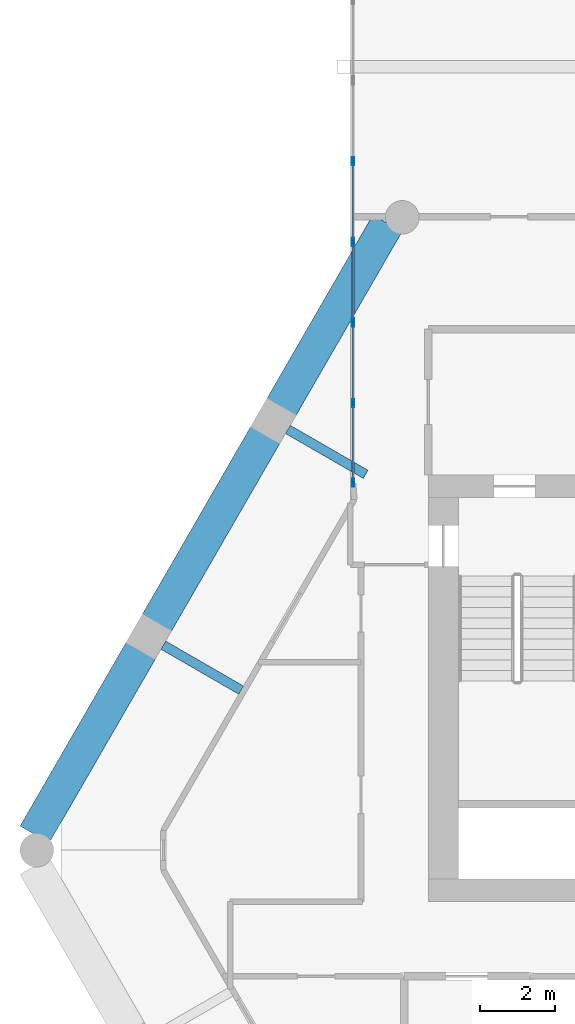
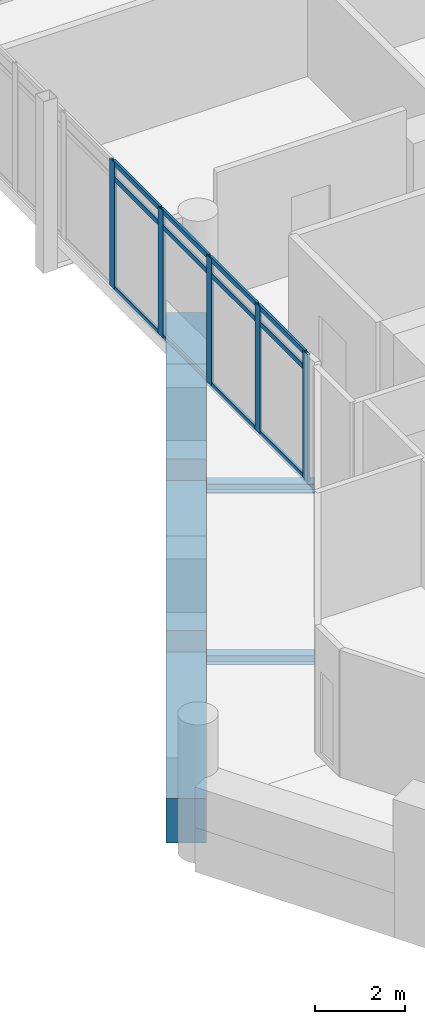
# One storey, part 11 of 25: 17 members, 5 beams, 1 element without a shape of its own.
"""IFC4 building model written with IfcOpenShell, lengths in metres."""

from ifc_helpers import new_model, si_unit, direction, frame, origin, origin_2d, place, context, subcontext, project, spatial, rectangle, hollow_rectangle, i_section, extrude, material, material_profile, profile_set, type_object, element, aggregate, save


model = new_model("IFC4")

# Units and contexts
model_context = context("Model", 3, precision=1e-05, world=origin(), true_north=direction((0.0, 1.0)))
body_context = subcontext(model_context, "Body", "Model", "MODEL_VIEW")
ifc_project = project(units=[si_unit("LENGTHUNIT", "METRE"), si_unit("AREAUNIT", "SQUARE_METRE"), si_unit("VOLUMEUNIT", "CUBIC_METRE"), si_unit("PLANEANGLEUNIT", "RADIAN"), si_unit("MASSUNIT", "GRAM", prefix="KILO")], contexts=[model_context])

# Site, building, storey
site_placement = place(None, origin())
site = spatial("IfcSite", under=ifc_project, at=site_placement, CompositionType="ELEMENT")
building_placement = place(site_placement, origin())
building = spatial("IfcBuilding", under=site, at=building_placement, Name="Ostrander Bayou Hotel Tower", CompositionType="ELEMENT")
storey_placement = place(building_placement, frame((0.0, 0.0, 233.25)))
storey = spatial("IfcBuildingStorey", under=building, at=storey_placement, Name="L58", CompositionType="ELEMENT", Elevation=233.25)

# Curtain wall, members
ifc_material_1 = material(Name="Aluminium and clear glass", Category="aluminium")
curtain_wall_type = type_object("IfcCurtainWallType", Name="CW-BAR glazed wall", PredefinedType="NOTDEFINED", material=ifc_material_1)
curtain_wall_placement = place(storey_placement, origin())
curtain_wall = element("IfcCurtainWall", 1, at=curtain_wall_placement, inside=storey, type_object=curtain_wall_type, Name="CW-BAR L58:SB5N:E", PredefinedType="NOTDEFINED")
ifc_material_2 = material(Name="Aluminium", Category="aluminium")
ifc_material_profile_1 = material_profile(ifc_material_2, hollow_rectangle(XDim=0.06005859375, YDim=0.219970703125, WallThickness=0.00390625, at=origin_2d()))
ifc_profile_set_1 = profile_set([ifc_material_profile_1], Name="Aluminium")
member_type_1 = type_object("IfcMemberType", Name="CW-BR mullion 60 x 220 mm", PredefinedType="MULLION", material=ifc_profile_set_1)
member_1_placement = place(storey_placement, frame((-10.51220703125, 9.4951171875, 0.0), z_axis=(0.0, 0.0, 1.0), x_axis=(-1.0, 0.0, 0.0)))
member_1 = element("IfcMember", 2, at=member_1_placement, type_object=member_type_1, Name="CW-BAR mullion 1", PredefinedType="MULLION", context=body_context, shape_type="SweptSolid", body=[
    extrude(hollow_rectangle(XDim=0.06005859375, YDim=0.219970703125, WallThickness=0.00390625, at=origin_2d()), origin(), (0.0, 0.0, 1.0), 3.449951171875),
])
member_2_placement = place(storey_placement, frame((-10.51220703125, 11.620849609375, 0.0), z_axis=(0.0, 0.0, 1.0), x_axis=(-1.0, 0.0, 0.0)))
member_2 = element("IfcMember", 3, at=member_2_placement, type_object=member_type_1, Name="CW-BAR mullion 2", PredefinedType="MULLION", context=body_context, shape_type="SweptSolid", body=[
    extrude(hollow_rectangle(XDim=0.06005859375, YDim=0.219970703125, WallThickness=0.00390625, at=origin_2d()), origin(), (0.0, 0.0, 1.0), 3.449951171875),
])
member_3_placement = place(storey_placement, frame((-10.51220703125, 13.7763671875, 0.0), z_axis=(0.0, 0.0, 1.0), x_axis=(-1.0, 0.0, 0.0)))
member_3 = element("IfcMember", 4, at=member_3_placement, type_object=member_type_1, Name="CW-BAR mullion 3", PredefinedType="MULLION", context=body_context, shape_type="SweptSolid", body=[
    extrude(hollow_rectangle(XDim=0.06005859375, YDim=0.219970703125, WallThickness=0.00390625, at=origin_2d()), origin(), (0.0, 0.0, 1.0), 3.449951171875),
])
member_4_placement = place(storey_placement, frame((-10.51220703125, 15.93212890625, 0.0), z_axis=(0.0, 0.0, 1.0), x_axis=(-1.0, 0.0, 0.0)))
member_4 = element("IfcMember", 5, at=member_4_placement, type_object=member_type_1, Name="CW-BAR mullion 4", PredefinedType="MULLION", context=body_context, shape_type="SweptSolid", body=[
    extrude(hollow_rectangle(XDim=0.06005859375, YDim=0.219970703125, WallThickness=0.00390625, at=origin_2d()), origin(), (0.0, 0.0, 1.0), 3.449951171875),
])
member_5_placement = place(storey_placement, frame((-10.51220703125, 18.087890625, 0.0), z_axis=(0.0, 0.0, 1.0), x_axis=(-1.0, 0.0, 0.0)))
member_5 = element("IfcMember", 6, at=member_5_placement, type_object=member_type_1, Name="CW-BAR mullion 5", PredefinedType="MULLION", context=body_context, shape_type="SweptSolid", body=[
    extrude(hollow_rectangle(XDim=0.06005859375, YDim=0.219970703125, WallThickness=0.00390625, at=origin_2d()), origin(), (0.0, 0.0, 1.0), 3.449951171875),
])
ifc_material_3 = material(Name="Aluminium", Category="aluminium")
ifc_material_profile_2 = material_profile(ifc_material_3, hollow_rectangle(XDim=0.06005859375, YDim=0.1298828125, WallThickness=0.00390625, at=origin_2d()))
ifc_profile_set_2 = profile_set([ifc_material_profile_2], Name="Aluminium")
member_type_2 = type_object("IfcMemberType", Name="CW-BR transom 60 x 130 mm", PredefinedType="USERDEFINED", material=ifc_profile_set_2)
member_6_placement = place(storey_placement, frame((-10.51220703125, 9.52490234375, 0.030029296875), z_axis=(0.0, 1.0, 0.0), x_axis=(-1.0, 0.0, 0.0)))
member_6 = element("IfcMember", 7, at=member_6_placement, type_object=member_type_2, Name="CW-BAR transom 1.1", ObjectType="TRANSOM", PredefinedType="USERDEFINED", context=body_context, shape_type="SweptSolid", body=[
    extrude(hollow_rectangle(XDim=0.06005859375, YDim=0.1298828125, WallThickness=0.00390625, at=origin_2d()), origin(), (0.0, 0.0, 1.0), 2.06591796875),
])
member_7_placement = place(storey_placement, frame((-10.51220703125, 9.52490234375, 3.0), z_axis=(0.0, 1.0, 0.0), x_axis=(-1.0, 0.0, 0.0)))
member_7 = element("IfcMember", 8, at=member_7_placement, type_object=member_type_2, Name="CW-BAR transom 1.2", ObjectType="TRANSOM", PredefinedType="USERDEFINED", context=body_context, shape_type="SweptSolid", body=[
    extrude(hollow_rectangle(XDim=0.06005859375, YDim=0.1298828125, WallThickness=0.00390625, at=origin_2d()), origin(), (0.0, 0.0, 1.0), 2.06591796875),
])
member_8_placement = place(storey_placement, frame((-10.51220703125, 9.52490234375, 3.419921875), z_axis=(0.0, 1.0, 0.0), x_axis=(-1.0, 0.0, 0.0)))
member_8 = element("IfcMember", 9, at=member_8_placement, type_object=member_type_2, Name="CW-BAR transom 1.3", ObjectType="TRANSOM", PredefinedType="USERDEFINED", context=body_context, shape_type="SweptSolid", body=[
    extrude(hollow_rectangle(XDim=0.06005859375, YDim=0.1298828125, WallThickness=0.00390625, at=origin_2d()), origin(), (0.0, 0.0, 1.0), 2.06591796875),
])
member_9_placement = place(storey_placement, frame((-10.51220703125, 11.650634765625, 0.030029296875), z_axis=(0.0, 1.0, 0.0), x_axis=(-1.0, 0.0, 0.0)))
member_9 = element("IfcMember", 10, at=member_9_placement, type_object=member_type_2, Name="CW-BAR transom 2.1", ObjectType="TRANSOM", PredefinedType="USERDEFINED", context=body_context, shape_type="SweptSolid", body=[
    extrude(hollow_rectangle(XDim=0.06005859375, YDim=0.1298828125, WallThickness=0.00390625, at=origin_2d()), origin(), (0.0, 0.0, 1.0), 2.095947265625),
])
member_10_placement = place(storey_placement, frame((-10.51220703125, 11.650634765625, 3.0), z_axis=(0.0, 1.0, 0.0), x_axis=(-1.0, 0.0, 0.0)))
member_10 = element("IfcMember", 11, at=member_10_placement, type_object=member_type_2, Name="CW-BAR transom 2.2", ObjectType="TRANSOM", PredefinedType="USERDEFINED", context=body_context, shape_type="SweptSolid", body=[
    extrude(hollow_rectangle(XDim=0.06005859375, YDim=0.1298828125, WallThickness=0.00390625, at=origin_2d()), origin(), (0.0, 0.0, 1.0), 2.095947265625),
])
member_11_placement = place(storey_placement, frame((-10.51220703125, 11.650634765625, 3.419921875), z_axis=(0.0, 1.0, 0.0), x_axis=(-1.0, 0.0, 0.0)))
member_11 = element("IfcMember", 12, at=member_11_placement, type_object=member_type_2, Name="CW-BAR transom 2.3", ObjectType="TRANSOM", PredefinedType="USERDEFINED", context=body_context, shape_type="SweptSolid", body=[
    extrude(hollow_rectangle(XDim=0.06005859375, YDim=0.1298828125, WallThickness=0.00390625, at=origin_2d()), origin(), (0.0, 0.0, 1.0), 2.095947265625),
])
member_12_placement = place(storey_placement, frame((-10.51220703125, 13.806396484375, 0.030029296875), z_axis=(0.0, 1.0, 0.0), x_axis=(-1.0, 0.0, 0.0)))
member_12 = element("IfcMember", 13, at=member_12_placement, type_object=member_type_2, Name="CW-BAR transom 3.1", ObjectType="TRANSOM", PredefinedType="USERDEFINED", context=body_context, shape_type="SweptSolid", body=[
    extrude(hollow_rectangle(XDim=0.06005859375, YDim=0.1298828125, WallThickness=0.00390625, at=origin_2d()), origin(), (0.0, 0.0, 1.0), 2.095703125),
])
member_13_placement = place(storey_placement, frame((-10.51220703125, 13.806396484375, 3.0), z_axis=(0.0, 1.0, 0.0), x_axis=(-1.0, 0.0, 0.0)))
member_13 = element("IfcMember", 14, at=member_13_placement, type_object=member_type_2, Name="CW-BAR transom 3.2", ObjectType="TRANSOM", PredefinedType="USERDEFINED", context=body_context, shape_type="SweptSolid", body=[
    extrude(hollow_rectangle(XDim=0.06005859375, YDim=0.1298828125, WallThickness=0.00390625, at=origin_2d()), origin(), (0.0, 0.0, 1.0), 2.095703125),
])
member_14_placement = place(storey_placement, frame((-10.51220703125, 13.806396484375, 3.419921875), z_axis=(0.0, 1.0, 0.0), x_axis=(-1.0, 0.0, 0.0)))
member_14 = element("IfcMember", 15, at=member_14_placement, type_object=member_type_2, Name="CW-BAR transom 3.3", ObjectType="TRANSOM", PredefinedType="USERDEFINED", context=body_context, shape_type="SweptSolid", body=[
    extrude(hollow_rectangle(XDim=0.06005859375, YDim=0.1298828125, WallThickness=0.00390625, at=origin_2d()), origin(), (0.0, 0.0, 1.0), 2.095703125),
])
member_15_placement = place(storey_placement, frame((-10.51220703125, 15.962158203125, 0.030029296875), z_axis=(0.0, 1.0, 0.0), x_axis=(-1.0, 0.0, 0.0)))
member_15 = element("IfcMember", 16, at=member_15_placement, type_object=member_type_2, Name="CW-BAR transom 4.1", ObjectType="TRANSOM", PredefinedType="USERDEFINED", context=body_context, shape_type="SweptSolid", body=[
    extrude(hollow_rectangle(XDim=0.06005859375, YDim=0.1298828125, WallThickness=0.00390625, at=origin_2d()), origin(), (0.0, 0.0, 1.0), 2.095703125),
])
member_16_placement = place(storey_placement, frame((-10.51220703125, 15.962158203125, 3.0), z_axis=(0.0, 1.0, 0.0), x_axis=(-1.0, 0.0, 0.0)))
member_16 = element("IfcMember", 17, at=member_16_placement, type_object=member_type_2, Name="CW-BAR transom 4.2", ObjectType="TRANSOM", PredefinedType="USERDEFINED", context=body_context, shape_type="SweptSolid", body=[
    extrude(hollow_rectangle(XDim=0.06005859375, YDim=0.1298828125, WallThickness=0.00390625, at=origin_2d()), origin(), (0.0, 0.0, 1.0), 2.095703125),
])
member_17_placement = place(storey_placement, frame((-10.51220703125, 15.962158203125, 3.419921875), z_axis=(0.0, 1.0, 0.0), x_axis=(-1.0, 0.0, 0.0)))
member_17 = element("IfcMember", 18, at=member_17_placement, type_object=member_type_2, Name="CW-BAR transom 4.3", ObjectType="TRANSOM", PredefinedType="USERDEFINED", context=body_context, shape_type="SweptSolid", body=[
    extrude(hollow_rectangle(XDim=0.06005859375, YDim=0.1298828125, WallThickness=0.00390625, at=origin_2d()), origin(), (0.0, 0.0, 1.0), 2.095703125),
])
aggregate(curtain_wall, [member_1, member_2, member_3, member_4, member_5, member_6, member_7, member_8, member_9, member_10, member_11, member_12, member_13, member_14, member_15, member_16, member_17])

# Beams
ifc_material_4 = material(Name="Steel ASTM A992", Category="steel")
ifc_material_profile_3 = material_profile(ifc_material_4, i_section(OverallWidth=0.25390625, OverallDepth=0.25341796875, WebThickness=0.008544921875, FlangeThickness=0.01416015625, at=origin_2d()))
ifc_profile_set_3 = profile_set([ifc_material_profile_3], Name="Steel ASTM A992")
beam_type_1 = type_object("IfcBeamType", Name="LB2 loggia bracket W10x49", PredefinedType="BEAM", material=ifc_profile_set_3)
for number, where, z_axis, x_axis, name in (
    (19, (-12.254638671875, 10.919677734375, -0.4267578125), (0.866024647952, -0.500001309137, 0.0), (0.500001309137, 0.866024647952, 0.0), "LB2 L58 NW1"),
    (20, (-15.583984375, 5.153076171875, -0.4267578125), (0.865980596518, -0.500077600433, 0.0), (0.500077600433, 0.865980596518, 0.0), "LB2 L58 NW2"),
):
    element("IfcBeam", number, at=place(storey_placement, frame(where, z_axis=z_axis, x_axis=x_axis)), inside=storey, type_object=beam_type_1, Name=name, PredefinedType="BEAM", context=body_context, shape_type="SweptSolid", body=[
        extrude(i_section(OverallWidth=0.25390625, OverallDepth=0.25341796875, WebThickness=0.008544921875, FlangeThickness=0.01416015625, at=origin_2d()), origin(), (0.0, 0.0, 1.0), 2.39990234375),
    ])
ifc_material_5 = material(Name="Concrete f'c 60 MPa", Category="concrete")
ifc_material_profile_4 = material_profile(ifc_material_5, rectangle(XDim=0.89990234375, YDim=1.199951171875, at=origin_2d()))
ifc_profile_set_4 = profile_set([ifc_material_profile_4], Name="Concrete f'c 60 MPa")
beam_type_2 = type_object("IfcBeamType", Name="SP4 spandrel beam 900 x 1200 mm f'c 60 MPa", PredefinedType="SPANDREL", material=ifc_profile_set_4)
beam_1_placement = place(storey_placement, frame((-9.593994140625, 16.427978515625, -0.60009765625), z_axis=(-0.499994028088, -0.866028851642, 0.0), x_axis=(0.866028851642, -0.499994028088, 0.0)))
element("IfcBeam", 21, at=beam_1_placement, inside=storey, type_object=beam_type_2, Name="SP4 L58 NW-1", PredefinedType="SPANDREL", context=body_context, shape_type="SweptSolid", body=[
    extrude(rectangle(XDim=0.89990234375, YDim=1.199951171875, at=origin_2d()), origin(), (0.0, 0.0, 1.0), 5.6806640625),
])
beam_2_placement = place(storey_placement, frame((-12.8544921875, 10.781005859375, -0.60009765625), z_axis=(-0.499997265274, -0.866026982673, 0.0), x_axis=(0.866026982673, -0.499997265274, 0.0)))
element("IfcBeam", 22, at=beam_2_placement, inside=storey, type_object=beam_type_2, Name="SP4 L58 NW-2", PredefinedType="SPANDREL", context=body_context, shape_type="SweptSolid", body=[
    extrude(rectangle(XDim=0.89990234375, YDim=1.199951171875, at=origin_2d()), origin(), (0.0, 0.0, 1.0), 5.81884765625),
])
beam_3_placement = place(storey_placement, frame((-16.183837890625, 5.014404296875, -0.60009765625), z_axis=(-0.499994028088, -0.866028851642, 0.0), x_axis=(0.866028851642, -0.499994028088, 0.0)))
element("IfcBeam", 23, at=beam_3_placement, inside=storey, type_object=beam_type_2, Name="SP4 L58 NW-3", PredefinedType="SPANDREL", context=body_context, shape_type="SweptSolid", body=[
    extrude(rectangle(XDim=0.89990234375, YDim=1.199951171875, at=origin_2d()), origin(), (0.0, 0.0, 1.0), 5.6806640625),
])

save(model, "model.ifc")
